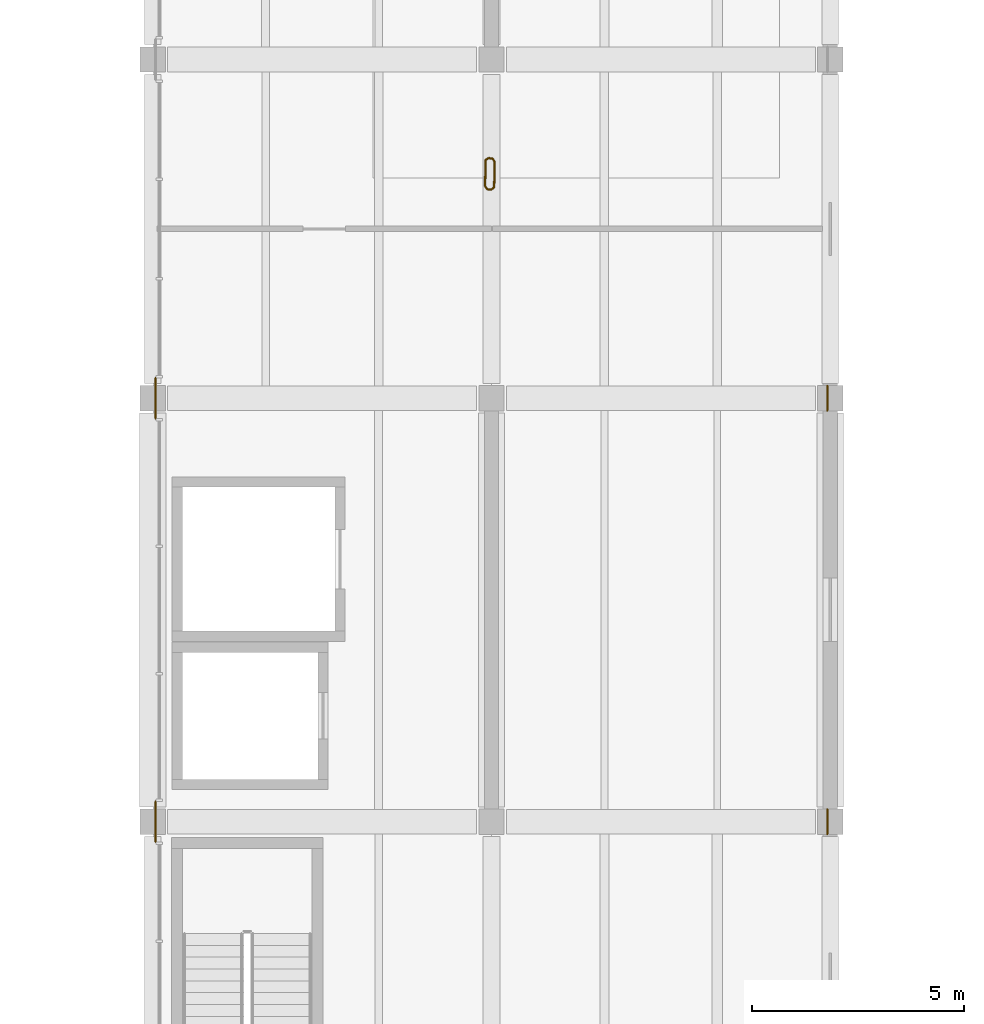
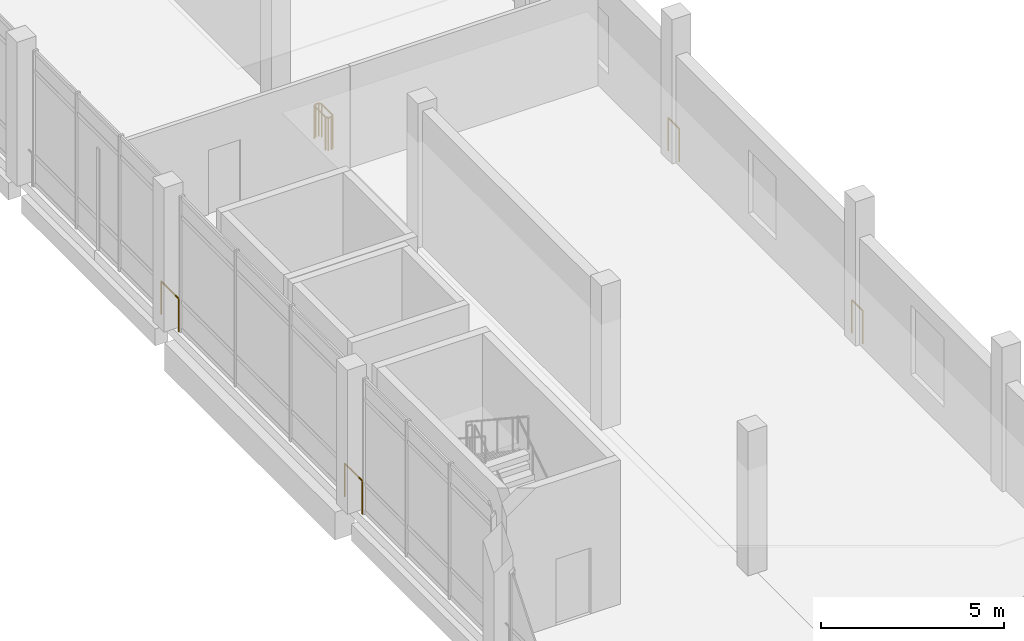
# One storey, part 43 of 47: 5 railings.
"""IFC4 building model written with IfcOpenShell, lengths in metres."""

from ifc_helpers import new_model, si_unit, direction, frame, origin, origin_2d, place, context, subcontext, project, spatial, circle, extrude, material, type_object, element, save


model = new_model("IFC4")

# Units and contexts
model_context = context("Model", 3, precision=1e-05, world=origin(), true_north=direction((0.0, 1.0)))
body_context = subcontext(model_context, "Body", "Model", "MODEL_VIEW")
ifc_project = project(units=[si_unit("LENGTHUNIT", "METRE"), si_unit("AREAUNIT", "SQUARE_METRE"), si_unit("VOLUMEUNIT", "CUBIC_METRE"), si_unit("PLANEANGLEUNIT", "RADIAN"), si_unit("MASSUNIT", "GRAM", prefix="KILO")], contexts=[model_context])

# Site, building, storey
site_placement = place(None, origin())
site = spatial("IfcSite", under=ifc_project, at=site_placement, CompositionType="ELEMENT")
building_placement = place(site_placement, origin())
building = spatial("IfcBuilding", under=site, at=building_placement, Name="Pecanmere Concourse Central Library", CompositionType="ELEMENT")
storey_placement = place(building_placement, frame((0.0, 0.0, 15.300048828125)))
storey = spatial("IfcBuildingStorey", under=building, at=storey_placement, Name="L04", CompositionType="ELEMENT", Elevation=15.300048828125)

# Railings
ifc_material = material(Name="Architectural anodized bronze")
railing_type = type_object("IfcRailingType", Name="RAIL_ATRIUM_BAL", PredefinedType="BALUSTRADE", material=ifc_material)
for number, where, name in (
    (1, (112.070068359375, 63.52001953125, 0.0), "Deck Edge Protective Balustrade L04-163"),
    (2, (112.070068359375, 73.52001953125, 0.0), "Deck Edge Protective Balustrade L04-164"),
):
    element("IfcRailing", number, at=place(storey_placement, frame(where)), inside=storey, type_object=railing_type, Name=name, PredefinedType="BALUSTRADE", context=body_context, shape_type="SweptSolid", body=[
        extrude(circle(Radius=0.02392578125, at=origin_2d()), frame((0.0, 0.0, 1.09619140625), z_axis=(0.0, 1.0, 0.0), x_axis=(-1.0, 0.0, 0.0)), (0.0, 0.0, 1.0), 0.9599609375),
        extrude(circle(Radius=0.02099609375, at=origin_2d()), origin(), (0.0, 0.0, 1.0), 1.072021484375),
        extrude(circle(Radius=0.02099609375, at=origin_2d()), frame((0.0, 0.9599609375, 0.0)), (0.0, 0.0, 1.0), 1.072021484375),
    ])
for number, where, name in (
    (3, (127.9296875, 74.294921875, 0.0), "Deck Edge Protective Balustrade L04-171"),
    (4, (127.929931640625, 64.294921875, 0.0), "Deck Edge Protective Balustrade L04-172"),
):
    element("IfcRailing", number, at=place(storey_placement, frame(where)), inside=storey, type_object=railing_type, Name=name, PredefinedType="BALUSTRADE", context=body_context, shape_type="SweptSolid", body=[
        extrude(circle(Radius=0.02392578125, at=origin_2d()), frame((0.0, 0.0, 1.09619140625), z_axis=(0.0, -1.0, 0.0), x_axis=(1.0, 0.0, 0.0)), (0.0, 0.0, 1.0), 0.58984375),
        extrude(circle(Radius=0.02099609375, at=origin_2d()), origin(), (0.0, 0.0, 1.0), 1.072021484375),
        extrude(circle(Radius=0.02099609375, at=origin_2d()), frame((0.0, -0.58984375, 0.0)), (0.0, 0.0, 1.0), 1.072021484375),
    ])
railing_placement = place(storey_placement, frame((120.069580078125, 79.596923828125, 0.0)))
element("IfcRailing", 5, at=railing_placement, inside=storey, type_object=railing_type, Name="Deck Edge Protective Balustrade L04-177", PredefinedType="BALUSTRADE", context=body_context, shape_type="SweptSolid", body=[
    extrude(circle(Radius=0.02392578125, at=origin_2d()), frame((0.0, 0.0, 1.09619140625), z_axis=(-0.591491231767, 0.806311430369, 0.0), x_axis=(-0.806311430369, -0.591491231767, 0.0)), (0.0, 0.0, 1.0), 0.0830078125),
    extrude(circle(Radius=0.02392578125, at=origin_2d()), frame((-0.049072265625, 0.06689453125, 1.09619140625), z_axis=(-0.998195860289, 0.060041856258, 0.0), x_axis=(-0.060041856258, -0.998195860289, 0.0)), (0.0, 0.0, 1.0), 0.09765625),
    extrude(circle(Radius=0.02392578125, at=origin_2d()), frame((-0.146484375, 0.07275390625, 1.09619140625), z_axis=(-0.806311430369, -0.591491231767, 0.0), x_axis=(0.591491231767, -0.806311430369, 0.0)), (0.0, 0.0, 1.0), 0.0830078125),
    extrude(circle(Radius=0.02392578125, at=origin_2d()), frame((-0.21337890625, 0.023681640625, 1.09619140625), z_axis=(-0.009489489668, -0.999954973779, 0.0), x_axis=(0.999954973779, -0.009489489668, 0.0)), (0.0, 0.0, 1.0), 0.617431640625),
    extrude(circle(Radius=0.02392578125, at=origin_2d()), frame((-0.21923828125, -0.59375, 1.09619140625), z_axis=(0.591491231767, -0.806311430369, 0.0), x_axis=(0.806311430369, 0.591491231767, 0.0)), (0.0, 0.0, 1.0), 0.0830078125),
    extrude(circle(Radius=0.02392578125, at=origin_2d()), frame((-0.170166015625, -0.66064453125, 1.09619140625), z_axis=(0.998195860289, -0.060041856258, 0.0), x_axis=(0.060041856258, 0.998195860289, 0.0)), (0.0, 0.0, 1.0), 0.09765625),
    extrude(circle(Radius=0.02392578125, at=origin_2d()), frame((-0.07275390625, -0.66650390625, 1.09619140625), z_axis=(0.806311430369, 0.591491231767, 0.0), x_axis=(-0.591491231767, 0.806311430369, 0.0)), (0.0, 0.0, 1.0), 0.0830078125),
    extrude(circle(Radius=0.02392578125, at=origin_2d()), frame((-0.005859375, -0.617431640625, 1.09619140625), z_axis=(0.009489489668, 0.999954973779, 0.0), x_axis=(-0.999954973779, 0.009489489668, 0.0)), (0.0, 0.0, 1.0), 0.617431640625),
    extrude(circle(Radius=0.02099609375, at=origin_2d()), origin(), (0.0, 0.0, 1.0), 1.072021484375),
    extrude(circle(Radius=0.02099609375, at=origin_2d()), frame((-0.049072265625, 0.06689453125, 0.0)), (0.0, 0.0, 1.0), 1.072021484375),
    extrude(circle(Radius=0.02099609375, at=origin_2d()), frame((-0.146484375, 0.07275390625, 0.0)), (0.0, 0.0, 1.0), 1.072021484375),
    extrude(circle(Radius=0.02099609375, at=origin_2d()), frame((-0.21337890625, 0.023681640625, 0.0)), (0.0, 0.0, 1.0), 1.072021484375),
    extrude(circle(Radius=0.02099609375, at=origin_2d()), frame((-0.21923828125, -0.59375, 0.0)), (0.0, 0.0, 1.0), 1.072021484375),
    extrude(circle(Radius=0.02099609375, at=origin_2d()), frame((-0.170166015625, -0.66064453125, 0.0)), (0.0, 0.0, 1.0), 1.072021484375),
    extrude(circle(Radius=0.02099609375, at=origin_2d()), frame((-0.07275390625, -0.66650390625, 0.0)), (0.0, 0.0, 1.0), 1.072021484375),
    extrude(circle(Radius=0.02099609375, at=origin_2d()), frame((-0.005859375, -0.617431640625, 0.0)), (0.0, 0.0, 1.0), 1.072021484375),
])

save(model, "model.ifc")
